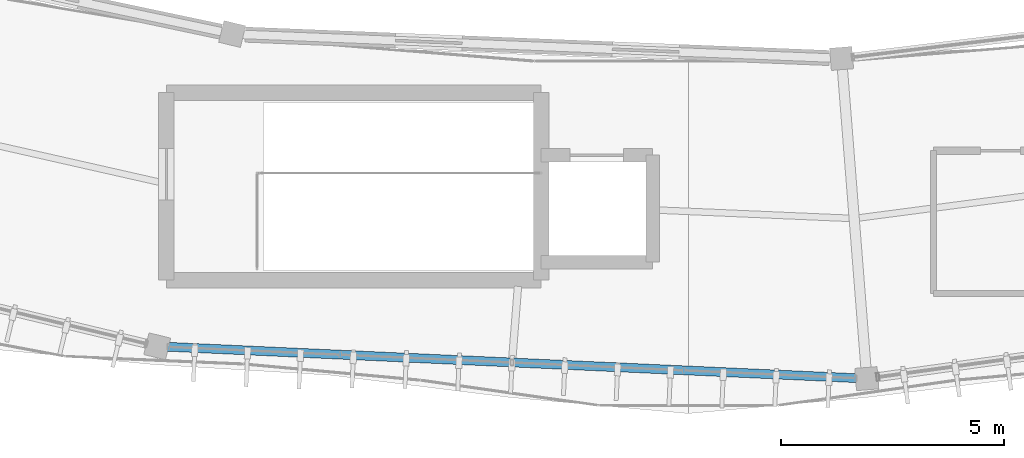
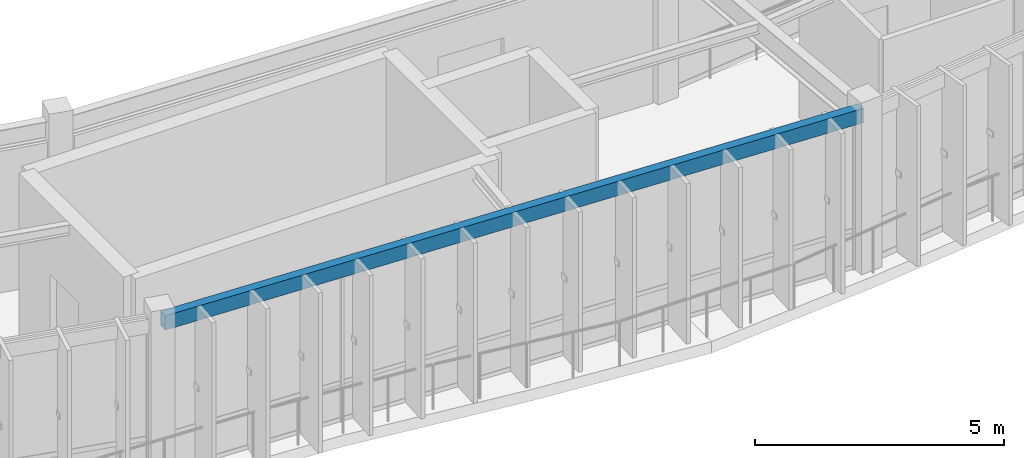
# One storey, part 15 of 78: 1 beam.
"""IFC4 building model written with IfcOpenShell, lengths in metres."""

from ifc_helpers import new_model, si_unit, direction, frame, origin, origin_2d, place, context, subcontext, project, spatial, hollow_rectangle, extrude, material, material_profile, profile_set, type_object, element, save


model = new_model("IFC4")

# Units and contexts
model_context = context("Model", 3, precision=1e-05, world=origin(), true_north=direction((0.0, 1.0)))
body_context = subcontext(model_context, "Body", "Model", "MODEL_VIEW")
ifc_project = project(units=[si_unit("LENGTHUNIT", "METRE"), si_unit("AREAUNIT", "SQUARE_METRE"), si_unit("VOLUMEUNIT", "CUBIC_METRE"), si_unit("PLANEANGLEUNIT", "RADIAN"), si_unit("MASSUNIT", "GRAM", prefix="KILO"), si_unit("THERMODYNAMICTEMPERATUREUNIT", "KELVIN"), si_unit("POWERUNIT", "WATT")], contexts=[model_context])

# Site, building, storey
site_placement = place(None, origin())
site = spatial("IfcSite", under=ifc_project, at=site_placement, CompositionType="ELEMENT")
building_placement = place(site_placement, origin())
building = spatial("IfcBuilding", under=site, at=building_placement, Name="Darbajah Civic Hall", CompositionType="ELEMENT")
storey_placement = place(building_placement, frame((0.0, 0.0, 26.39990234375)))
storey = spatial("IfcBuildingStorey", under=building, at=storey_placement, Name="L06", CompositionType="ELEMENT", Elevation=26.39990234375)

# Beam
ifc_material = material(Name="Steel S355JR", Category="steel")
ifc_material_profile = material_profile(ifc_material, hollow_rectangle(XDim=0.199951171875, YDim=0.35009765625, WallThickness=0.012451171875, at=origin_2d()), Name="RHS 350x200x12.5")
ifc_profile_set = profile_set([ifc_material_profile], Name="Steel S355JR")
beam_type = type_object("IfcBeamType", Name="RHS 350x200x12.5", PredefinedType="SPANDREL", material=ifc_profile_set)
beam_placement = place(storey_placement, frame((77.274169921875, 61.111572265625, 3.7451171875), z_axis=(0.998964928608, -0.04548704664, 0.0), x_axis=(0.04548704664, 0.998964928608, 0.0)))
element("IfcBeam", 1, at=beam_placement, inside=storey, type_object=beam_type, Name="L06 beam SP-RHS350", PredefinedType="SPANDREL", context=body_context, shape_type="SweptSolid", body=[
    extrude(hollow_rectangle(XDim=0.199951171875, YDim=0.35009765625, WallThickness=0.012451171875, at=origin_2d()), origin(), (0.0, 0.0, 1.0), 15.763671875),
])

save(model, "model.ifc")
